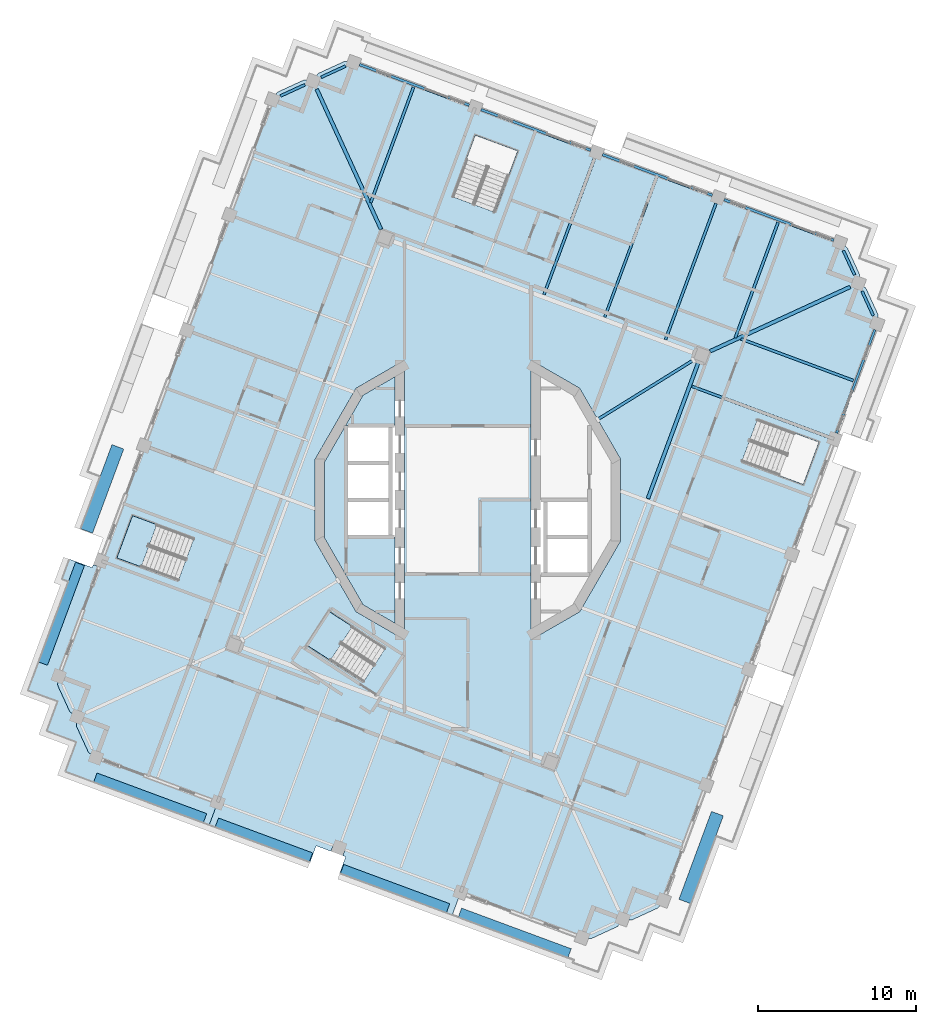
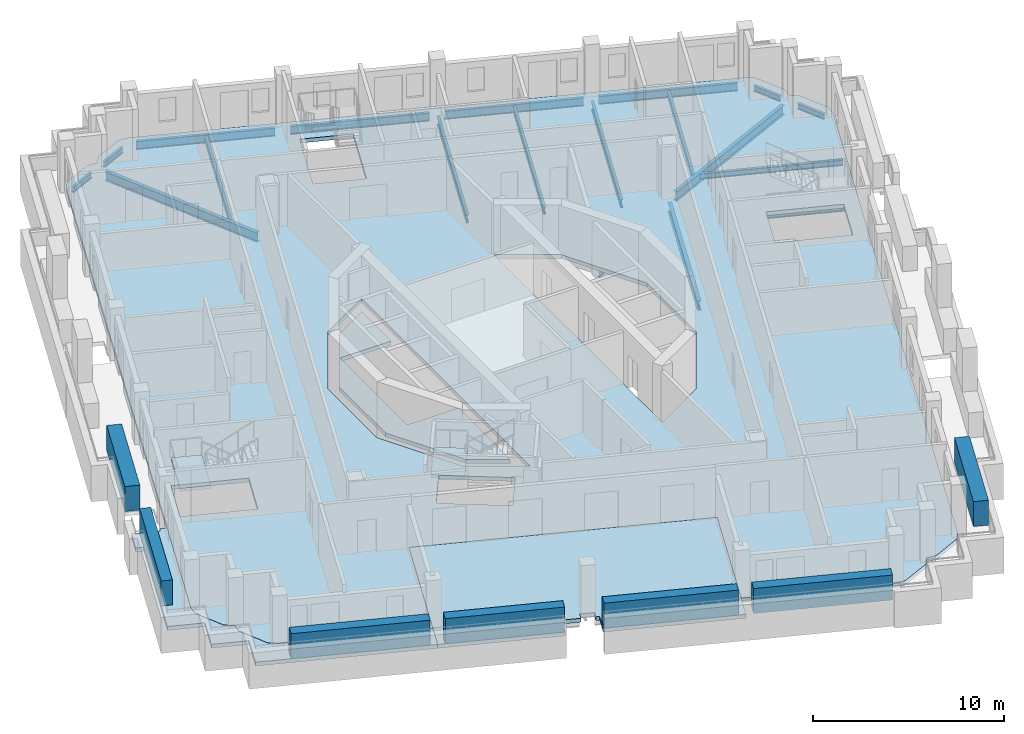
# One storey, part 2 of 18: 20 beams, 7 plates, 6 slabs, 2 elements without a shape of their own.
"""IFC4 building model written with IfcOpenShell, lengths in metres."""

from ifc_helpers import new_model, si_unit, direction, frame, origin, origin_2d, place, context, subcontext, project, spatial, polyline, rectangle, i_section, outline, extrude, material, layer, layer_set, material_profile, profile_set, type_object, element, aggregate, save


model = new_model("IFC4")

# Units and contexts
model_context = context("Model", 3, precision=1e-05, world=origin(), true_north=direction((0.0, 1.0)))
body_context = subcontext(model_context, "Body", "Model", "MODEL_VIEW")
ifc_project = project(units=[si_unit("LENGTHUNIT", "METRE"), si_unit("AREAUNIT", "SQUARE_METRE"), si_unit("VOLUMEUNIT", "CUBIC_METRE"), si_unit("PLANEANGLEUNIT", "RADIAN"), si_unit("MASSUNIT", "GRAM", prefix="KILO")], contexts=[model_context])

# Site, building, storey
site_placement = place(None, origin())
site = spatial("IfcSite", under=ifc_project, at=site_placement, CompositionType="ELEMENT")
building_placement = place(site_placement, origin())
building = spatial("IfcBuilding", under=site, at=building_placement, Name="Cantera Rosa Tower", CompositionType="ELEMENT")
storey_placement = place(building_placement, frame((0.0, 0.0, 316.89990234375)))
storey = spatial("IfcBuildingStorey", under=building, at=storey_placement, Name="L70", CompositionType="ELEMENT", Elevation=316.89990234375)

# Beams
ifc_material_1 = material(Name="Steel ASTM A992 (Fy 345 MPa)", Category="steel")
ifc_material_profile_1 = material_profile(ifc_material_1, i_section(OverallWidth=0.177978515625, OverallDepth=0.406005859375, WebThickness=0.0078125, FlangeThickness=0.0126953125, FilletRadius=0.01025390625, at=origin_2d()), Name="W410X60")
ifc_profile_set_1 = profile_set([ifc_material_profile_1], Name="Steel ASTM A992 (Fy 345 MPa)")
beam_type_1 = type_object("IfcBeamType", Name="STEEL BEAM W410X60", PredefinedType="BEAM", material=ifc_profile_set_1)
beam_1_placement = place(storey_placement, frame((14.262451171875, 8.84521484375, -0.452880859375), z_axis=(-0.849840939707, -0.527039255841, 0.0), x_axis=(0.527039255841, -0.849840939707, 0.0)))
element("IfcBeam", 1, at=beam_1_placement, inside=storey, type_object=beam_type_1, Name="PG-Z6-02 L70", PredefinedType="BEAM", context=body_context, shape_type="SweptSolid", body=[
    extrude(i_section(OverallWidth=0.177978515625, OverallDepth=0.406005859375, WebThickness=0.0078125, FlangeThickness=0.0126953125, FilletRadius=0.01025390625, at=origin_2d()), origin(), (0.0, 0.0, 1.0), 7.118408203125),
])
ifc_material_2 = material(Name="Steel ASTM A992 (Fy 345 MPa)", Category="steel")
ifc_material_profile_2 = material_profile(ifc_material_2, i_section(OverallWidth=0.166015625, OverallDepth=0.528076171875, WebThickness=0.009765625, FlangeThickness=0.013671875, FilletRadius=0.0126953125, at=origin_2d()), Name="W530X74")
ifc_profile_set_2 = profile_set([ifc_material_profile_2], Name="Steel ASTM A992 (Fy 345 MPa)")
beam_type_2 = type_object("IfcBeamType", Name="STEEL BEAM W530X74", PredefinedType="BEAM", material=ifc_profile_set_2)
for number, where, z_axis, x_axis, name in (
    (2, (15.698486328125, 18.764404296875, -0.513916015625), (-0.347476838353, -0.937688566, 0.0), (0.937688566, -0.347476838353, 0.0), "G-Z6-01 L70"),
    (3, (8.009521484375, 21.61376953125, -0.513916015625), (-0.34750017104, -0.937679919337, 0.0), (0.937679919337, -0.34750017104, 0.0), "G-Z6-02 L70"),
    (4, (22.808837890625, 3.9931640625, -0.513916015625), (-0.937688566, 0.347476838353, 0.0), (-0.347476838353, -0.937688566, 0.0), "G-Z6-11 L70"),
):
    element("IfcBeam", number, at=place(storey_placement, frame(where, z_axis=z_axis, x_axis=x_axis)), inside=storey, type_object=beam_type_2, Name=name, PredefinedType="BEAM", context=body_context, shape_type="SweptSolid", body=[
        extrude(i_section(OverallWidth=0.166015625, OverallDepth=0.528076171875, WebThickness=0.009765625, FlangeThickness=0.013671875, FilletRadius=0.0126953125, at=origin_2d()), origin(), (0.0, 0.0, 1.0), 9.199951171875),
    ])
ifc_material_3 = material(Name="Steel ASTM A992 (Fy 345 MPa)", Category="steel")
ifc_material_profile_3 = material_profile(ifc_material_3, i_section(OverallWidth=0.22802734375, OverallDepth=0.60205078125, WebThickness=0.010498046875, FlangeThickness=0.014892578125, FilletRadius=0.0126953125, at=origin_2d()), Name="W610X101")
ifc_profile_set_3 = profile_set([ifc_material_profile_3], Name="Steel ASTM A992 (Fy 345 MPa)")
beam_type_3 = type_object("IfcBeamType", Name="STEEL BEAM W610X101", PredefinedType="BEAM", material=ifc_profile_set_3)
for number, where, z_axis, x_axis, name in (
    (5, (-9.56396484375, 25.992919921875, -0.55078125), (0.417345508131, -0.908747889595, 0.0), (0.908747889595, 0.417345508131, 0.0), "CB-Z6-01 L70"),
    (6, (24.19287109375, 13.483642578125, -0.55078125), (-0.908747889595, -0.417345508131, 0.0), (0.417345508131, -0.908747889595, 0.0), "CB-Z6-04 L70"),
):
    element("IfcBeam", number, at=place(storey_placement, frame(where, z_axis=z_axis, x_axis=x_axis)), inside=storey, type_object=beam_type_3, Name=name, PredefinedType="BEAM", context=body_context, shape_type="SweptSolid", body=[
        extrude(i_section(OverallWidth=0.22802734375, OverallDepth=0.60205078125, WebThickness=0.010498046875, FlangeThickness=0.014892578125, FilletRadius=0.0126953125, at=origin_2d()), origin(), (0.0, 0.0, 1.0), 9.758056640625),
    ])
beam_2_placement = place(storey_placement, frame((11.39013671875, 0.087646484375, -0.55078125), z_axis=(0.347498244979, 0.937680633125, 0.0), x_axis=(-0.937680633125, 0.347498244979, 0.0)))
element("IfcBeam", 7, at=beam_2_placement, inside=storey, type_object=beam_type_3, Name="RB-Z6-06 L70", PredefinedType="BEAM", context=body_context, shape_type="SweptSolid", body=[
    extrude(i_section(OverallWidth=0.22802734375, OverallDepth=0.60205078125, WebThickness=0.010498046875, FlangeThickness=0.014892578125, FilletRadius=0.0126953125, at=origin_2d()), origin(), (0.0, 0.0, 1.0), 9.2099609375),
])
ifc_material_4 = material(Name="Steel ASTM A992 (Fy 345 MPa)", Category="steel")
ifc_material_profile_4 = material_profile(ifc_material_4, i_section(OverallWidth=0.1708984375, OverallDepth=0.35595703125, WebThickness=0.00732421875, FlangeThickness=0.01171875, FilletRadius=0.010009765625, at=origin_2d()), Name="W360X51")
ifc_profile_set_4 = profile_set([ifc_material_profile_4], Name="Steel ASTM A992 (Fy 345 MPa)")
beam_type_4 = type_object("IfcBeamType", Name="STEEL JOIST W360X51", PredefinedType="JOIST", material=ifc_profile_set_4)
for number, where, z_axis, x_axis, name in (
    (8, (19.6298828125, 17.573974609375, -0.427978515625), (-0.347491728417, -0.937683048093, 0.0), (0.937683048093, -0.347491728417, 0.0), "B-Z6-01 L70"),
    (9, (-3.437255859375, 26.1220703125, -0.427978515625), (-0.347491728417, -0.937683048093, 0.0), (0.937683048093, -0.347491728417, 0.0), "B-Z6-04 L70"),
):
    element("IfcBeam", number, at=place(storey_placement, frame(where, z_axis=z_axis, x_axis=x_axis)), inside=storey, type_object=beam_type_4, Name=name, PredefinedType="JOIST", context=body_context, shape_type="SweptSolid", body=[
        extrude(i_section(OverallWidth=0.1708984375, OverallDepth=0.35595703125, WebThickness=0.00732421875, FlangeThickness=0.01171875, FilletRadius=0.010009765625, at=origin_2d()), origin(), (0.0, 0.0, 1.0), 7.800048828125),
    ])
beam_3_placement = place(storey_placement, frame((24.39501953125, 7.553955078125, -0.427978515625), z_axis=(-0.937686277131, 0.347483014951, 0.0), x_axis=(-0.347483014951, -0.937686277131, 0.0)))
element("IfcBeam", 10, at=beam_3_placement, inside=storey, type_object=beam_type_4, Name="B-Z6-14 L70", PredefinedType="JOIST", context=body_context, shape_type="SweptSolid", body=[
    extrude(i_section(OverallWidth=0.1708984375, OverallDepth=0.35595703125, WebThickness=0.00732421875, FlangeThickness=0.01171875, FilletRadius=0.010009765625, at=origin_2d()), origin(), (0.0, 0.0, 1.0), 7.590087890625),
])
ifc_material_5 = material(Name="Steel ASTM A992 (Fy 345 MPa)", Category="steel")
ifc_material_profile_5 = material_profile(ifc_material_5, i_section(OverallWidth=0.154052734375, OverallDepth=0.4599609375, WebThickness=0.009033203125, FlangeThickness=0.015380859375, FilletRadius=0.01025390625, at=origin_2d()), Name="W460X68")
ifc_profile_set_5 = profile_set([ifc_material_profile_5], Name="Steel ASTM A992 (Fy 345 MPa)")
beam_type_5 = type_object("IfcBeamType", Name="STEEL JOIST W460X68", PredefinedType="JOIST", material=ifc_profile_set_5)
beam_4_placement = place(storey_placement, frame((11.94091796875, 20.42333984375, -0.47998046875), z_axis=(-0.347482637031, -0.937686417179, 0.0), x_axis=(0.937686417179, -0.347482637031, 0.0)))
element("IfcBeam", 11, at=beam_4_placement, inside=storey, type_object=beam_type_5, Name="B-Z6-02 L70", PredefinedType="JOIST", context=body_context, shape_type="SweptSolid", body=[
    extrude(i_section(OverallWidth=0.154052734375, OverallDepth=0.4599609375, WebThickness=0.009033203125, FlangeThickness=0.015380859375, FilletRadius=0.01025390625, at=origin_2d()), origin(), (0.0, 0.0, 1.0), 9.449951171875),
])
ifc_material_6 = material(Name="Steel ASTM A992 (Fy 345 MPa)", Category="steel")
ifc_material_profile_6 = material_profile(ifc_material_6, i_section(OverallWidth=0.1708984375, OverallDepth=0.35595703125, WebThickness=0.00732421875, FlangeThickness=0.01171875, FilletRadius=0.010009765625, at=origin_2d()), Name="W360X51")
ifc_profile_set_6 = profile_set([ifc_material_profile_6], Name="Steel ASTM A992 (Fy 345 MPa)")
beam_type_6 = type_object("IfcBeamType", Name="STEEL SPANDREL BEAM W360X51", PredefinedType="SPANDREL", material=ifc_profile_set_6)
for number, where, z_axis, x_axis, name in (
    (12, (-7.74365234375, 27.451416015625, -0.427978515625), (-0.908753529973, -0.417333226286, 0.0), (0.417333226286, -0.908753529973, 0.0), "EB-Z6-05 L70"),
    (13, (-10.31396484375, 26.27099609375, -0.427978515625), (-0.908753529973, -0.417333226286, 0.0), (0.417333226286, -0.908753529973, 0.0), "EB-Z6-06 L70"),
):
    element("IfcBeam", number, at=place(storey_placement, frame(where, z_axis=z_axis, x_axis=x_axis)), inside=storey, type_object=beam_type_6, Name=name, PredefinedType="SPANDREL", context=body_context, shape_type="SweptSolid", body=[
        extrude(i_section(OverallWidth=0.1708984375, OverallDepth=0.35595703125, WebThickness=0.00732421875, FlangeThickness=0.01171875, FilletRadius=0.010009765625, at=origin_2d()), origin(), (0.0, 0.0, 1.0), 1.697021484375),
    ])
for number, where, z_axis, x_axis, name in (
    (14, (25.651123046875, 11.66357421875, -0.427978515625), (-0.417268968709, 0.908783036677, 0.0), (-0.908783036677, -0.417268968709, 0.0), "EB-Z6-25 L70"),
    (15, (24.470947265625, 14.23388671875, -0.427978515625), (-0.417387791404, 0.908728469669, 0.0), (-0.908728469669, -0.417387791404, 0.0), "EB-Z6-26 L70"),
):
    element("IfcBeam", number, at=place(storey_placement, frame(where, z_axis=z_axis, x_axis=x_axis)), inside=storey, type_object=beam_type_6, Name=name, PredefinedType="SPANDREL", context=body_context, shape_type="SweptSolid", body=[
        extrude(i_section(OverallWidth=0.1708984375, OverallDepth=0.35595703125, WebThickness=0.00732421875, FlangeThickness=0.01171875, FilletRadius=0.010009765625, at=origin_2d()), origin(), (0.0, 0.0, 1.0), 1.69677734375),
    ])
ifc_material_7 = material(Name="Steel ASTM A992 (Fy 345 MPa)", Category="steel")
ifc_material_profile_7 = material_profile(ifc_material_7, i_section(OverallWidth=0.154052734375, OverallDepth=0.4599609375, WebThickness=0.009033203125, FlangeThickness=0.015380859375, FilletRadius=0.01025390625, at=origin_2d()), Name="W460X68")
ifc_profile_set_7 = profile_set([ifc_material_profile_7], Name="Steel ASTM A992 (Fy 345 MPa)")
beam_type_7 = type_object("IfcBeamType", Name="STEEL SPANDREL BEAM W460X68", PredefinedType="SPANDREL", material=ifc_profile_set_7)
beam_5_placement = place(storey_placement, frame((23.322998046875, 4.229248046875, -0.47998046875), z_axis=(0.347460165909, 0.937694744097, 0.0), x_axis=(-0.937694744097, 0.347460165909, 0.0)))
element("IfcBeam", 16, at=beam_5_placement, inside=storey, type_object=beam_type_7, Name="EB-Z6-24 L70", PredefinedType="SPANDREL", context=body_context, shape_type="SweptSolid", body=[
    extrude(i_section(OverallWidth=0.154052734375, OverallDepth=0.4599609375, WebThickness=0.009033203125, FlangeThickness=0.015380859375, FilletRadius=0.01025390625, at=origin_2d()), origin(), (0.0, 0.0, 1.0), 6.97998046875),
])
ifc_material_8 = material(Name="Steel ASTM A992 (Fy 345 MPa)", Category="steel")
ifc_material_profile_8 = material_profile(ifc_material_8, i_section(OverallWidth=0.166015625, OverallDepth=0.528076171875, WebThickness=0.009765625, FlangeThickness=0.013671875, FilletRadius=0.0126953125, at=origin_2d()), Name="W530X74")
ifc_profile_set_8 = profile_set([ifc_material_profile_8], Name="Steel ASTM A992 (Fy 345 MPa)")
beam_type_8 = type_object("IfcBeamType", Name="STEEL SPANDREL BEAM W530X74", PredefinedType="SPANDREL", material=ifc_profile_set_8)
beam_6_placement = place(storey_placement, frame((23.1513671875, 16.428955078125, -0.513916015625), z_axis=(-0.937676706507, 0.347508840281, 0.0), x_axis=(-0.347508840281, -0.937676706507, 0.0)))
element("IfcBeam", 17, at=beam_6_placement, inside=storey, type_object=beam_type_8, Name="EB-Z6-01 L70", PredefinedType="SPANDREL", context=body_context, shape_type="SweptSolid", body=[
    extrude(i_section(OverallWidth=0.166015625, OverallDepth=0.528076171875, WebThickness=0.009765625, FlangeThickness=0.013671875, FilletRadius=0.0126953125, at=origin_2d()), origin(), (0.0, 0.0, 1.0), 7.39990234375),
])
for number, where, z_axis, x_axis, name in (
    (18, (15.46240234375, 19.2783203125, -0.513916015625), (-0.937680690562, 0.34749808999, 0.0), (-0.34749808999, -0.937680690562, 0.0), "EB-Z6-02 L70"),
    (19, (7.7734375, 22.127685546875, -0.513916015625), (-0.937680690562, 0.34749808999, 0.0), (-0.34749808999, -0.937680690562, 0.0), "EB-Z6-03 L70"),
):
    element("IfcBeam", number, at=place(storey_placement, frame(where, z_axis=z_axis, x_axis=x_axis)), inside=storey, type_object=beam_type_8, Name=name, PredefinedType="SPANDREL", context=body_context, shape_type="SweptSolid", body=[
        extrude(i_section(OverallWidth=0.166015625, OverallDepth=0.528076171875, WebThickness=0.009765625, FlangeThickness=0.013671875, FilletRadius=0.0126953125, at=origin_2d()), origin(), (0.0, 0.0, 1.0), 7.400146484375),
    ])
beam_7_placement = place(storey_placement, frame((0.084228515625, 24.97705078125, -0.513916015625), z_axis=(-0.937687456783, 0.347479831633, 0.0), x_axis=(-0.347479831633, -0.937687456783, 0.0)))
element("IfcBeam", 20, at=beam_7_placement, inside=storey, type_object=beam_type_8, Name="EB-Z6-04 L70", PredefinedType="SPANDREL", context=body_context, shape_type="SweptSolid", body=[
    extrude(i_section(OverallWidth=0.166015625, OverallDepth=0.528076171875, WebThickness=0.009765625, FlangeThickness=0.013671875, FilletRadius=0.0126953125, at=origin_2d()), origin(), (0.0, 0.0, 1.0), 7.39990234375),
])

# Slabs
ifc_material_9 = material(Name="Concrete C35/45", Category="concrete")
ifc_layer_1 = layer(ifc_material_9, 0.25)
ifc_layer_set_1 = layer_set([ifc_layer_1], Name="COMPOSITE FLOOR SLAB 250 C35/45")
slab_type_1 = type_object("IfcSlabType", Name="COMPOSITE FLOOR SLAB 250 C35/45", PredefinedType="FLOOR", material=ifc_layer_set_1)
slab_1_placement = place(storey_placement, frame((0.0, 0.0, -0.25)))
element("IfcSlab", 21, at=slab_1_placement, inside=storey, type_object=slab_type_1, Name="SLAB L70 floor 1", PredefinedType="FLOOR", context=body_context, shape_type="SweptSolid", body=[
    extrude(outline(polyline([(-4.60009765625, -2.35009765625), (-4.60009765625, -7.804931640625), (-6.6318359375, -6.6318359375), (-9.059326171875, -2.427490234375), (-9.059326171875, 2.427490234375), (-6.6318359375, 6.6318359375), (-4.60009765625, 7.804931640625), (-4.60009765625, 4.699951171875), (-7.699951171875, 4.699951171875), (-7.699951171875, 2.35009765625), (-7.699951171875, 0.0), (-7.699951171875, -2.35009765625), (-4.60009765625, -2.35009765625)])), origin(), (0.0, 0.0, 1.0), 0.25),
])
slab_2_placement = place(storey_placement, frame((0.0, 0.0, -0.25)))
element("IfcSlab", 22, at=slab_2_placement, inside=storey, type_object=slab_type_1, Name="SLAB L70 floor 2", PredefinedType="FLOOR", context=body_context, shape_type="SweptSolid", body=[
    extrude(outline(polyline([(2.146728515625, -17.805419921875), (-13.2314453125, -12.106689453125), (-15.83740234375, -19.139404296875), (-23.526611328125, -16.2900390625), (-23.919677734375, -16.031494140625), (-23.944091796875, -16.014892578125), (-23.966552734375, -15.99609375), (-23.987060546875, -15.974853515625), (-24.005615234375, -15.951904296875), (-24.021484375, -15.92724609375), (-24.03515625, -15.901123046875), (-24.743408203125, -14.35888671875), (-24.75439453125, -14.331787109375), (-24.7626953125, -14.303466796875), (-24.76806640625, -14.2744140625), (-24.7705078125, -14.2451171875), (-24.770263671875, -14.2158203125), (-24.76708984375, -14.186279296875), (-24.706787109375, -13.7197265625), (-25.10009765625, -13.461181640625), (-25.12451171875, -13.444580078125), (-25.14697265625, -13.42578125), (-25.16748046875, -13.404541015625), (-25.18603515625, -13.381591796875), (-25.201904296875, -13.35693359375), (-25.215576171875, -13.330810546875), (-25.923828125, -11.788818359375), (-25.934814453125, -11.76123046875), (-25.943115234375, -11.733154296875), (-25.948486328125, -11.7041015625), (-25.950927734375, -11.6748046875), (-25.95068359375, -11.6455078125), (-25.947509765625, -11.6162109375), (-25.88720703125, -11.1494140625), (-12.733154296875, 24.347412109375), (-12.370361328125, 25.32666015625), (-12.11181640625, 25.7197265625), (-12.09521484375, 25.744140625), (-12.076171875, 25.7666015625), (-12.05517578125, 25.787353515625), (-12.0322265625, 25.8056640625), (-12.007568359375, 25.82177734375), (-11.9814453125, 25.835205078125), (-10.439208984375, 26.543701171875), (-10.411865234375, 26.554443359375), (-10.383544921875, 26.562744140625), (-10.354736328125, 26.568115234375), (-10.325439453125, 26.57080078125), (-10.2958984375, 26.5703125), (-10.2666015625, 26.567138671875), (-9.800048828125, 26.507080078125), (-9.54150390625, 26.900146484375), (-9.52490234375, 26.924560546875), (-9.505859375, 26.947021484375), (-9.48486328125, 26.9677734375), (-9.4619140625, 26.986083984375), (-9.437255859375, 27.002197265625), (-9.4111328125, 27.015625), (-7.868896484375, 27.72412109375), (-7.841552734375, 27.735107421875), (-7.813232421875, 27.7431640625), (-7.784423828125, 27.74853515625), (-7.7548828125, 27.751220703125), (-7.7255859375, 27.750732421875), (-7.6962890625, 27.74755859375), (-7.2294921875, 27.6875), (-6.25048828125, 27.32470703125), (23.526611328125, 16.2900390625), (23.919677734375, 16.031494140625), (23.944091796875, 16.014892578125), (23.966552734375, 15.99609375), (23.987060546875, 15.974853515625), (24.005615234375, 15.951904296875), (24.021484375, 15.92724609375), (24.03515625, 15.901123046875), (24.743408203125, 14.35888671875), (24.75439453125, 14.331787109375), (24.7626953125, 14.303466796875), (24.76806640625, 14.2744140625), (24.7705078125, 14.2451171875), (24.770263671875, 14.2158203125), (24.76708984375, 14.186279296875), (24.706787109375, 13.7197265625), (25.10009765625, 13.461181640625), (25.12451171875, 13.444580078125), (25.14697265625, 13.42578125), (25.16748046875, 13.404541015625), (25.18603515625, 13.381591796875), (25.201904296875, 13.35693359375), (25.215576171875, 13.330810546875), (25.923828125, 11.788818359375), (25.934814453125, 11.76123046875), (25.943115234375, 11.733154296875), (25.948486328125, 11.7041015625), (25.950927734375, 11.6748046875), (25.95068359375, 11.6455078125), (25.947509765625, 11.6162109375), (25.88720703125, 11.1494140625), (12.733154296875, -24.347412109375), (12.370361328125, -25.32666015625), (12.11181640625, -25.7197265625), (12.09521484375, -25.744140625), (12.076171875, -25.7666015625), (12.05517578125, -25.787353515625), (12.0322265625, -25.8056640625), (12.007568359375, -25.82177734375), (11.9814453125, -25.835205078125), (10.439208984375, -26.543701171875), (10.411865234375, -26.554443359375), (10.383544921875, -26.562744140625), (10.354736328125, -26.568115234375), (10.325439453125, -26.57080078125), (10.2958984375, -26.5703125), (10.2666015625, -26.567138671875), (9.800048828125, -26.507080078125), (9.54150390625, -26.900146484375), (9.52490234375, -26.924560546875), (9.505859375, -26.947021484375), (9.48486328125, -26.9677734375), (9.4619140625, -26.986083984375), (9.437255859375, -27.002197265625), (9.4111328125, -27.015625), (7.868896484375, -27.72412109375), (7.841552734375, -27.735107421875), (7.813232421875, -27.7431640625), (7.784423828125, -27.74853515625), (7.7548828125, -27.751220703125), (7.7255859375, -27.750732421875), (7.6962890625, -27.74755859375), (7.2294921875, -27.6875), (6.25048828125, -27.32470703125), (-0.45947265625, -24.838134765625), (2.146728515625, -17.805419921875)]), holes=[polyline([(-9.97021484375, -9.3212890625), (-6.6044921875, -11.507080078125), (-5.2158203125, -9.368408203125), (-8.581298828125, -7.1826171875), (-9.97021484375, -9.3212890625)]), polyline([(-22.206298828125, -3.662109375), (-18.325927734375, -5.099853515625), (-17.335693359375, -2.427490234375), (-21.2158203125, -0.989501953125), (-22.206298828125, -3.662109375)]), polyline([(-9.6591796875, 2.588134765625), (-9.6591796875, -2.588134765625), (-7.071044921875, -7.071044921875), (-4.0, -8.843994140625), (-4.0, 8.843994140625), (-7.071044921875, 7.071044921875), (-9.6591796875, 2.588134765625)]), polyline([(9.6591796875, 2.588134765625), (7.071044921875, 7.071044921875), (4.0, 8.843994140625), (4.0, -8.843994140625), (7.071044921875, -7.071044921875), (9.6591796875, -2.588134765625), (9.6591796875, 2.588134765625)]), polyline([(21.2158203125, 0.989501953125), (22.206298828125, 3.662109375), (18.325927734375, 5.099853515625), (17.335693359375, 2.427490234375), (21.2158203125, 0.989501953125)]), polyline([(3.14453125, 22.08349609375), (0.47216796875, 23.07373046875), (-0.9658203125, 19.193603515625), (1.70654296875, 18.203369140625), (3.14453125, 22.08349609375)])]), origin(), (0.0, 0.0, 1.0), 0.25),
])
ifc_material_10 = material(Name="Concrete C35/45", Category="concrete")
ifc_layer_2 = layer(ifc_material_10, 0.25)
ifc_layer_set_2 = layer_set([ifc_layer_2], Name="LOGGIA SLAB 250 C35/45")
slab_type_2 = type_object("IfcSlabType", Name="LOGGIA SLAB 250 C35/45", PredefinedType="FLOOR", material=ifc_layer_set_2)
slab_3_placement = place(storey_placement, frame((0.0, 0.0, -0.25)))
element("IfcSlab", 23, at=slab_3_placement, inside=storey, type_object=slab_type_2, Name="LOGGIA SLAB L70 1", PredefinedType="FLOOR", context=body_context, shape_type="SweptSolid", body=[
    extrude(outline(polyline([(-24.93310546875, -15.768798828125), (-24.75927734375, -15.300048828125), (-25.22802734375, -15.126220703125), (-26.634765625, -14.60498046875), (-26.11328125, -13.198486328125), (-25.939697265625, -12.729736328125), (-26.408447265625, -12.555908203125), (-26.410400390625, -12.561279296875), (-27.822509765625, -12.0380859375), (-25.268310546875, -5.145751953125), (-25.671142578125, -4.996337890625), (-25.20703125, -3.744384765625), (-23.767578125, -4.27783203125), (-23.697998046875, -4.09033203125), (-23.322998046875, -4.229248046875), (-25.88720703125, -11.1494140625), (-25.947509765625, -11.6162109375), (-25.95068359375, -11.6455078125), (-25.950927734375, -11.6748046875), (-25.948486328125, -11.7041015625), (-25.943115234375, -11.733154296875), (-25.934814453125, -11.76123046875), (-25.923828125, -11.788818359375), (-25.215576171875, -13.330810546875), (-25.201904296875, -13.35693359375), (-25.18603515625, -13.381591796875), (-25.16748046875, -13.404541015625), (-25.14697265625, -13.42578125), (-25.12451171875, -13.444580078125), (-25.10009765625, -13.461181640625), (-24.706787109375, -13.7197265625), (-24.76708984375, -14.186279296875), (-24.770263671875, -14.2158203125), (-24.7705078125, -14.2451171875), (-24.76806640625, -14.2744140625), (-24.7626953125, -14.303466796875), (-24.75439453125, -14.331787109375), (-24.743408203125, -14.35888671875), (-24.03515625, -15.901123046875), (-24.021484375, -15.92724609375), (-24.005615234375, -15.951904296875), (-23.987060546875, -15.974853515625), (-23.966552734375, -15.99609375), (-23.944091796875, -16.014892578125), (-23.919677734375, -16.031494140625), (-23.526611328125, -16.2900390625), (-15.83740234375, -19.139404296875), (-16.358642578125, -20.5458984375), (-17.76513671875, -20.024658203125), (-24.047607421875, -17.696533203125), (-25.454345703125, -17.17529296875), (-24.93310546875, -15.768798828125)])), origin(), (0.0, 0.0, 1.0), 0.25),
])

# Plates
ifc_material_11 = material(Name="Cantera stone planter with soil", Category="masonry")
plate_type_1 = type_object("IfcPlateType", Name="PLANTER 600", PredefinedType="USERDEFINED", material=ifc_material_11)
plate_1_placement = place(storey_placement, frame((-25.709716796875, -7.199951171875, 0.0), z_axis=(0.0, 0.0, 1.0), x_axis=(-0.347481234489, -0.937686936924, 0.0)))
element("IfcPlate", 24, at=plate_1_placement, inside=storey, type_object=plate_type_1, Name="PLANTER L70-09", ObjectType="PLANTER", PredefinedType="USERDEFINED", context=body_context, shape_type="SweptSolid", body=[
    extrude(rectangle(XDim=6.72998046875, YDim=0.60009765625, at=origin_2d()), origin(), (0.0, 0.0, 1.0), 1.60009765625),
])
plate_2_placement = place(storey_placement, frame((-20.098876953125, -18.83984375, 0.0), z_axis=(0.0, 0.0, 1.0), x_axis=(0.937686936924, -0.347481234489, 0.0)))
element("IfcPlate", 25, at=plate_2_placement, inside=storey, type_object=plate_type_1, Name="PLANTER L70-10", ObjectType="PLANTER", PredefinedType="USERDEFINED", context=body_context, shape_type="SweptSolid", body=[
    extrude(rectangle(XDim=7.39990234375, YDim=0.60009765625, at=origin_2d()), origin(), (0.0, 0.0, 1.0), 1.60009765625),
])
plate_3_placement = place(storey_placement, frame((-12.902099609375, -21.5068359375, 0.0), z_axis=(0.0, 0.0, 1.0), x_axis=(0.937686936924, -0.347481234489, 0.0)))
element("IfcPlate", 26, at=plate_3_placement, inside=storey, type_object=plate_type_1, Name="PLANTER L70-11", ObjectType="PLANTER", PredefinedType="USERDEFINED", context=body_context, shape_type="SweptSolid", body=[
    extrude(rectangle(XDim=6.35009765625, YDim=0.60009765625, at=origin_2d()), origin(), (0.0, 0.0, 1.0), 1.60009765625),
])
plate_4_placement = place(storey_placement, frame((-4.603759765625, -24.58203125, 0.0), z_axis=(0.0, 0.0, 1.0), x_axis=(0.937686936924, -0.347481234489, 0.0)))
element("IfcPlate", 27, at=plate_4_placement, inside=storey, type_object=plate_type_1, Name="PLANTER L70-12", ObjectType="PLANTER", PredefinedType="USERDEFINED", context=body_context, shape_type="SweptSolid", body=[
    extrude(rectangle(XDim=7.14990234375, YDim=0.60009765625, at=origin_2d()), origin(), (0.0, 0.0, 1.0), 1.60009765625),
])
plate_5_placement = place(storey_placement, frame((2.968017578125, -27.387939453125, 0.0), z_axis=(0.0, 0.0, 1.0), x_axis=(0.937686936924, -0.347481234489, 0.0)))
element("IfcPlate", 28, at=plate_5_placement, inside=storey, type_object=plate_type_1, Name="PLANTER L70-13", ObjectType="PLANTER", PredefinedType="USERDEFINED", context=body_context, shape_type="SweptSolid", body=[
    extrude(rectangle(XDim=7.39990234375, YDim=0.60009765625, at=origin_2d()), origin(), (0.0, 0.0, 1.0), 1.60009765625),
])
ifc_material_12 = material(Name="Cantera stone planter with soil", Category="masonry")
plate_type_2 = type_object("IfcPlateType", Name="PLANTER 800", PredefinedType="USERDEFINED", material=ifc_material_12)
plate_6_placement = place(storey_placement, frame((-23.1328125, 0.701904296875, 0.0), z_axis=(0.0, 0.0, 1.0), x_axis=(-0.347481234489, -0.937686936924, 0.0)))
element("IfcPlate", 29, at=plate_6_placement, inside=storey, type_object=plate_type_2, Name="PLANTER L70-08", ObjectType="PLANTER", PredefinedType="USERDEFINED", context=body_context, shape_type="SweptSolid", body=[
    extrude(rectangle(XDim=5.679931640625, YDim=0.800048828125, at=origin_2d()), origin(), (0.0, 0.0, 1.0), 1.60009765625),
])
plate_7_placement = place(storey_placement, frame((14.758544921875, -22.623046875, 0.0), z_axis=(0.0, 0.0, 1.0), x_axis=(0.347481234489, 0.937686936924, 0.0)))
element("IfcPlate", 30, at=plate_7_placement, inside=storey, type_object=plate_type_2, Name="PLANTER L70-14", ObjectType="PLANTER", PredefinedType="USERDEFINED", context=body_context, shape_type="SweptSolid", body=[
    extrude(rectangle(XDim=5.929931640625, YDim=0.800048828125, at=origin_2d()), origin(), (0.0, 0.0, 1.0), 1.60009765625),
])

# Stair, slab
ifc_material_13 = material(Name="Concrete C35/45", Category="concrete")
stair_type_1 = type_object("IfcStairType", Name="EXIT STAIR 1350 DOGLEG", PredefinedType="HALF_TURN_STAIR", material=ifc_material_13)
stair_1_placement = place(storey_placement, origin())
stair_1 = element("IfcStair", 31, at=stair_1_placement, inside=storey, type_object=stair_type_1, Name="L70 ST-63", PredefinedType="HALF_TURN_STAIR")
ifc_material_14 = material(Name="Concrete C35/45", Category="concrete")
ifc_layer_3 = layer(ifc_material_14, 0.199951171875)
ifc_layer_set_3 = layer_set([ifc_layer_3], Name="STAIR LANDING 200")
slab_type_3 = type_object("IfcSlabType", Name="STAIR LANDING 200", PredefinedType="LANDING", material=ifc_layer_set_3)
slab_4_placement = place(storey_placement, frame((0.0, 0.0, 1.60009765625)))
slab_4 = element("IfcSlab", 32, at=slab_4_placement, type_object=slab_type_3, Name="ST-63 landing 1", PredefinedType="LANDING", context=body_context, shape_type="SweptSolid", body=[
    extrude(outline(polyline([(-19.67626953125, -1.56005859375), (-21.2158203125, -0.989501953125), (-22.206298828125, -3.661865234375), (-20.66650390625, -4.232421875), (-19.67626953125, -1.56005859375)])), origin(), (0.0, 0.0, 1.0), 0.199951171875),
])
aggregate(stair_1, [slab_4])

ifc_material_15 = material(Name="Concrete C35/45", Category="concrete")
stair_type_2 = type_object("IfcStairType", Name="EXIT STAIR 1200 DOGLEG", PredefinedType="HALF_TURN_STAIR", material=ifc_material_15)
stair_2_placement = place(storey_placement, origin())
stair_2 = element("IfcStair", 33, at=stair_2_placement, inside=storey, type_object=stair_type_2, Name="L70 ST-64", PredefinedType="HALF_TURN_STAIR")
slab_5_placement = place(storey_placement, frame((0.0, 0.0, 1.60009765625)))
slab_5 = element("IfcSlab", 34, at=slab_5_placement, type_object=slab_type_3, Name="ST-64 landing 1", PredefinedType="LANDING", context=body_context, shape_type="SweptSolid", body=[
    extrude(outline(polyline([(-7.30908203125, -8.009033203125), (-8.81201171875, -7.032958984375), (-10.20068359375, -9.171630859375), (-8.69775390625, -10.1474609375), (-7.30908203125, -8.009033203125)])), origin(), (0.0, 0.0, 1.0), 0.199951171875),
])
aggregate(stair_2, [slab_5])

# Slab
ifc_material_16 = material(Name="Concrete C35/45", Category="concrete")
ifc_layer_4 = layer(ifc_material_16, 0.25)
ifc_layer_set_4 = layer_set([ifc_layer_4], Name="TERRACE SLAB 250 C35/45")
slab_type_4 = type_object("IfcSlabType", Name="TERRACE SLAB 250 C35/45", PredefinedType="FLOOR", material=ifc_layer_set_4)
slab_6_placement = place(storey_placement, frame((0.0, 0.0, -0.25)))
element("IfcSlab", 35, at=slab_6_placement, inside=storey, type_object=slab_type_4, Name="TERRACE SLAB L70 1", PredefinedType="FLOOR", context=body_context, shape_type="SweptSolid", body=[
    extrude(outline(polyline([(-7.724853515625, -22.572265625), (-7.912353515625, -22.502685546875), (-7.7734375, -22.127685546875), (-8.5234375, -21.849853515625), (-8.66259765625, -22.224853515625), (-9.60009765625, -21.87744140625), (-9.982421875, -22.90869140625), (-10.076171875, -22.8740234375), (-14.9521484375, -21.067138671875), (-16.358642578125, -20.5458984375), (-15.83740234375, -19.139404296875), (-13.2314453125, -12.106689453125), (2.146728515625, -17.805419921875), (-0.45947265625, -24.838134765625), (-0.980712890625, -26.24462890625), (-2.38720703125, -25.723388671875), (-7.26318359375, -23.91650390625), (-8.10693359375, -23.603759765625), (-7.724853515625, -22.572265625)])), origin(), (0.0, 0.0, 1.0), 0.25),
])

save(model, "model.ifc")
